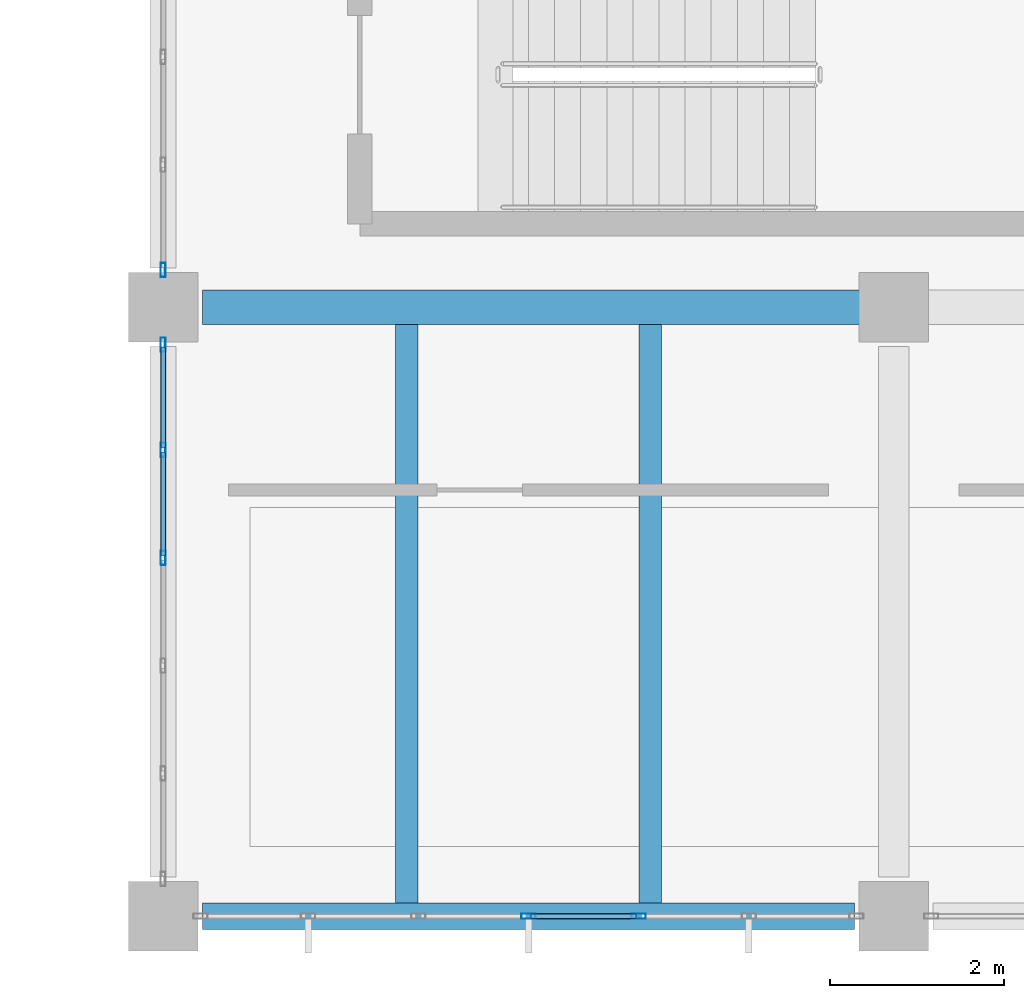
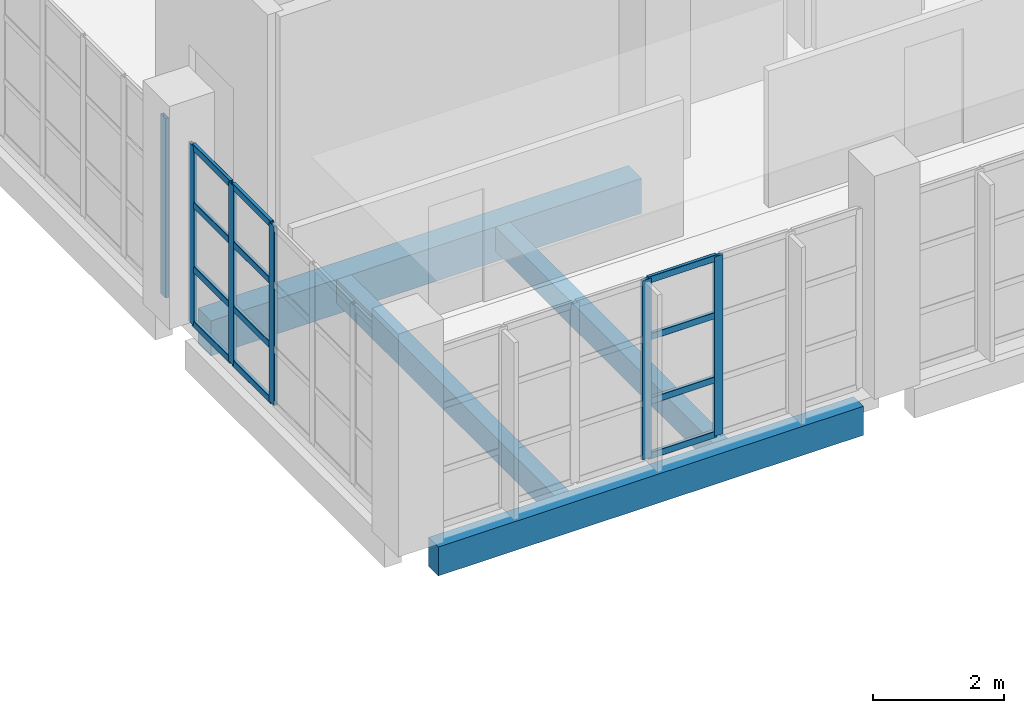
# One storey, part 14 of 177: 18 members, 4 beams, 3 elements without a shape of their own.
"""IFC4 building model written with IfcOpenShell, lengths in metres."""

import ifcopenshell
import ifcopenshell.guid

model = None  # the IFC model being written
_history = None  # IfcOwnerHistory: only IFC2X3 demands one
_inside = {}  # id of a spatial element -> (the spatial element, [elements in it])
_under = {}  # id of a project, library or spatial element -> (it, [spatial elements below it])
_declared = {}  # id of a project -> (the project, [libraries it declares])
_typed = {}  # id of a type object -> (the type object, [elements of that type])
_made_of = {}  # id of a material, layer set ... -> (it, [elements and type objects made of it])


def new_model(schema):
    """Start an empty IFC model of exactly this schema.

    Asked for "IFC4X3", IfcOpenShell would pick the latest addendum, in which some entities
    have other attributes; the version numbers below select the first issue.
    IFC2X3 requires an IfcOwnerHistory on every rooted entity: one is made here for all.
    """
    global model, _history
    if schema == "IFC4X3":
        model = ifcopenshell.file(schema_version=(4, 3, 0, 0))
    else:
        model = ifcopenshell.file(schema=schema)
    _inside.clear()
    _under.clear()
    _declared.clear()
    _typed.clear()
    _made_of.clear()
    _history = None
    if model.schema == "IFC2X3":
        org = make("IfcOrganization", Name="unknown")
        user = make(
            "IfcPersonAndOrganization",
            ThePerson=make("IfcPerson", FamilyName="unknown"),
            TheOrganization=org,
        )
        app = make(
            "IfcApplication",
            ApplicationDeveloper=org,
            Version="unknown",
            ApplicationFullName="unknown",
            ApplicationIdentifier="unknown",
        )
        _history = make(
            "IfcOwnerHistory",
            OwningUser=user,
            OwningApplication=app,
            ChangeAction="ADDED",
            CreationDate=0,
        )
    return model


def make(cls, **values):
    """One entity of the class cls with the attributes given. An attribute that is None is left unset."""
    return model.create_entity(
        cls, **{name: value for name, value in values.items() if value is not None}
    )


def rooted(cls, **values):
    """An entity with a GlobalId (a new one), such as an element, a storey or a relation."""
    return make(cls, GlobalId=ifcopenshell.guid.new(), OwnerHistory=_history, **values)


def si_unit(unit_type, name, prefix=None):
    """IfcSIUnit, for example si_unit("LENGTHUNIT", "METRE", prefix="MILLI")."""
    return make("IfcSIUnit", UnitType=unit_type, Prefix=prefix, Name=name)


def assignment(units):
    """IfcUnitAssignment: the units of a project."""
    return None if units is None else make("IfcUnitAssignment", Units=units)


def point(xyz):
    """IfcCartesianPoint."""
    return None if xyz is None else make("IfcCartesianPoint", Coordinates=xyz)


def direction(xyz):
    """IfcDirection."""
    return None if xyz is None else make("IfcDirection", DirectionRatios=xyz)


def frame(location, z_axis=None, x_axis=None):
    """IfcAxis2Placement3D, a coordinate frame: its origin and axes. An axis left out is left unset."""
    return make(
        "IfcAxis2Placement3D",
        Location=point(location),
        Axis=direction(z_axis),
        RefDirection=direction(x_axis),
    )


def frame_2d(location, x_axis=None):
    """IfcAxis2Placement2D, a coordinate frame in the plane: its origin and x axis."""
    return make(
        "IfcAxis2Placement2D", Location=point(location), RefDirection=direction(x_axis)
    )


def origin():
    """The frame at (0, 0, 0) with its axes left unset."""
    return frame((0.0, 0.0, 0.0))


def origin_2d():
    """The frame at (0, 0) in the plane with its x axis left unset."""
    return frame_2d((0.0, 0.0))


def place(relative_to, where):
    """IfcLocalPlacement: puts the frame where relative to a parent placement (None: the world)."""
    return make(
        "IfcLocalPlacement", PlacementRelTo=relative_to, RelativePlacement=where
    )


def context(
    kind, dimensions, precision=None, world=None, true_north=None, identifier=None
):
    """IfcGeometricRepresentationContext, for example the 3D "Model" context."""
    return make(
        "IfcGeometricRepresentationContext",
        ContextIdentifier=identifier,
        ContextType=kind,
        CoordinateSpaceDimension=dimensions,
        Precision=precision,
        WorldCoordinateSystem=world,
        TrueNorth=true_north,
    )


def subcontext(parent, identifier, kind, view, scale=None):
    """IfcGeometricRepresentationSubContext, for example "Body" below "Model"."""
    return make(
        "IfcGeometricRepresentationSubContext",
        ContextIdentifier=identifier,
        ContextType=kind,
        ParentContext=parent,
        TargetScale=scale,
        TargetView=view,
    )


def project(units=None, contexts=None):
    """IfcProject with its units and contexts."""
    return rooted(
        "IfcProject",
        Name="project",
        RepresentationContexts=contexts,
        UnitsInContext=assignment(units),
    )


def spatial(cls, under=None, at=None, **own):
    """A site, building, storey or space (cls), placed at a placement, below another one or the project."""
    s = rooted(cls, ObjectPlacement=at, **own)
    if under is not None:
        _under.setdefault(under.id(), (under, []))[1].append(s)
    return s


def profile(cls, at=None, kind="AREA", **sizes):
    """A parametric profile (cls). Its sizes go by their IFC names, for example OverallWidth=200.0."""
    return make(cls, ProfileType=kind, Position=at, **sizes)


def rectangle(**sizes):
    """IfcRectangleProfileDef."""
    return profile("IfcRectangleProfileDef", **sizes)


def hollow_rectangle(**sizes):
    """IfcRectangleHollowProfileDef."""
    return profile("IfcRectangleHollowProfileDef", **sizes)


def extrude(swept, where, along, depth):
    """IfcExtrudedAreaSolid: the profile swept, set in the frame where, extruded along a direction by depth."""
    return make(
        "IfcExtrudedAreaSolid",
        SweptArea=swept,
        Position=where,
        ExtrudedDirection=direction(along),
        Depth=depth,
    )


def shape(context_of_items, identifier, shape_type, items):
    """IfcShapeRepresentation: the items that make up one representation, for example the "Body"."""
    return make(
        "IfcShapeRepresentation",
        ContextOfItems=context_of_items,
        RepresentationIdentifier=identifier,
        RepresentationType=shape_type,
        Items=items,
    )


def material(Name=None, Category=None):
    """IfcMaterial."""
    return make("IfcMaterial", Name=Name, Category=Category)


def layer(
    of_material, thickness, ventilated=None, Name=None, Category=None, Priority=None
):
    """IfcMaterialLayer: one layer of a wall or slab, of a material (None: an air gap)."""
    return make(
        "IfcMaterialLayer",
        Material=of_material,
        LayerThickness=thickness,
        IsVentilated=ventilated,
        Name=Name,
        Category=Category,
        Priority=Priority,
    )


def layer_set(layers, Name=None):
    """IfcMaterialLayerSet."""
    return make("IfcMaterialLayerSet", MaterialLayers=layers, LayerSetName=Name)


def material_profile(
    of_material, cross_section, Name=None, Category=None, Priority=None
):
    """IfcMaterialProfile: a cross section and its material."""
    return make(
        "IfcMaterialProfile",
        Name=Name,
        Material=of_material,
        Profile=cross_section,
        Priority=Priority,
        Category=Category,
    )


def profile_set(profiles, Name=None, composite=None):
    """IfcMaterialProfileSet."""
    return make(
        "IfcMaterialProfileSet",
        Name=Name,
        MaterialProfiles=profiles,
        CompositeProfile=composite,
    )


def made_of(thing, what):
    """Note that an element or type object is made of a material, layer set ...; save() writes the relation."""
    if what is not None:
        _made_of.setdefault(what.id(), (what, []))[1].append(thing)
    return thing


def type_object(cls, material=None, **own):
    """A type object (cls), such as IfcWallType, which elements share."""
    return made_of(rooted(cls, **own), material)


def element(
    cls,
    number,
    at=None,
    inside=None,
    cuts=None,
    type_object=None,
    material=None,
    context=None,
    identifier="Body",
    shape_type=None,
    held_by="IfcProductDefinitionShape",
    body=None,
    shapes=None,
    **own,
):
    """One element of the class cls, such as IfcWall. Its Tag is "e" and its number.

    at: its placement. inside: the storey or other place that contains it. cuts: it is an
    opening in that element (IfcRelVoidsElement). A single representation is given by context,
    identifier, shape_type and body (its items); several are given by shapes. held_by: the class
    of the entity that holds the representations. save() writes the other relations.
    """
    e = rooted(cls, Tag="e%d" % number, ObjectPlacement=at, **own)
    if body is not None:
        shapes = [shape(context, identifier, shape_type, body)]
    if shapes is not None:
        e.Representation = make(held_by, Representations=shapes)
    if inside is not None:
        _inside.setdefault(inside.id(), (inside, []))[1].append(e)
    if cuts is not None:
        rooted(
            "IfcRelVoidsElement", RelatingBuildingElement=cuts, RelatedOpeningElement=e
        )
    if type_object is not None:
        _typed.setdefault(type_object.id(), (type_object, []))[1].append(e)
    return made_of(e, material)


def aggregate(whole, parts):
    """IfcRelAggregates: a whole, such as a stair, and the parts it consists of."""
    return rooted("IfcRelAggregates", RelatingObject=whole, RelatedObjects=parts)


def save(model, path):
    """Write the relations noted so far, then the file.

    IfcRelAggregates (storeys below a building ...), IfcRelContainedInSpatialStructure (elements
    in a storey), IfcRelDefinesByType, IfcRelAssociatesMaterial and IfcRelDeclares: one each for
    every whole, place, type object, material and project.
    """
    for whole, parts in _under.values():
        aggregate(whole, parts)
    for where, things in _inside.values():
        rooted(
            "IfcRelContainedInSpatialStructure",
            RelatedElements=things,
            RelatingStructure=where,
        )
    for kind, things in _typed.values():
        rooted("IfcRelDefinesByType", RelatedObjects=things, RelatingType=kind)
    for what, things in _made_of.values():
        rooted("IfcRelAssociatesMaterial", RelatedObjects=things, RelatingMaterial=what)
    for by, libraries in _declared.values():
        rooted("IfcRelDeclares", RelatingContext=by, RelatedDefinitions=libraries)
    model.write(path)


model = new_model("IFC4")

# Units and contexts
model_context = context("Model", 3, precision=1e-05, world=origin(), true_north=direction((0.0, 1.0)))
body_context = subcontext(model_context, "Body", "Model", "MODEL_VIEW")
ifc_project = project(units=[si_unit("LENGTHUNIT", "METRE"), si_unit("AREAUNIT", "SQUARE_METRE"), si_unit("VOLUMEUNIT", "CUBIC_METRE"), si_unit("PLANEANGLEUNIT", "RADIAN"), si_unit("MASSUNIT", "GRAM", prefix="KILO"), si_unit("THERMODYNAMICTEMPERATUREUNIT", "KELVIN"), si_unit("POWERUNIT", "WATT")], contexts=[model_context])

# Site, building, storey
site_placement = place(None, origin())
site = spatial("IfcSite", under=ifc_project, at=site_placement, CompositionType="ELEMENT")
building_placement = place(site_placement, origin())
building = spatial("IfcBuilding", under=site, at=building_placement, Name="Mavoryth Pier Ferry Terminal", CompositionType="ELEMENT")
storey_placement = place(building_placement, frame((0.0, 0.0, 5.43994140625)))
storey = spatial("IfcBuildingStorey", under=building, at=storey_placement, Name="L01", CompositionType="ELEMENT", Elevation=5.43994140625)

# Beams
ifc_material_1 = material(Name="Concrete C35/45", Category="concrete")
ifc_material_profile_1 = material_profile(ifc_material_1, rectangle(XDim=0.39990234375, YDim=0.64990234375, at=origin_2d()), Name="RC 400x650", Category="concrete")
ifc_profile_set_1 = profile_set([ifc_material_profile_1], Name="Concrete C35/45 - RC 400x650")
beam_type_1 = type_object("IfcBeamType", Name="Girder-RC-400x650", PredefinedType="BEAM", material=ifc_profile_set_1)
beam_1_placement = place(storey_placement, frame((42.449951171875, 7.0, -0.5849609375), z_axis=(1.0, 0.0, 0.0), x_axis=(0.0, 1.0, 0.0)))
element("IfcBeam", 1, at=beam_1_placement, inside=storey, type_object=beam_type_1, Name="Beam B01-BG05-0516", PredefinedType="BEAM", context=body_context, shape_type="SweptSolid", body=[
    extrude(rectangle(XDim=0.39990234375, YDim=0.64990234375, at=origin_2d()), origin(), (0.0, 0.0, 1.0), 7.60009765625),
])
ifc_material_profile_2 = material_profile(ifc_material_1, rectangle(XDim=0.260009765625, YDim=0.449951171875, at=origin_2d()), Name="RC 260x450", Category="concrete")
ifc_profile_set_2 = profile_set([ifc_material_profile_2], Name="Concrete C35/45 - RC 260x450")
beam_type_2 = type_object("IfcBeamType", Name="Joist-RC-260x450", PredefinedType="JOIST", material=ifc_profile_set_2)
for number, where, z_axis, x_axis, name in (
    (2, (44.800048828125, 0.14990234375, -0.48486328125), (0.0, 1.0, 0.0), (-1.0, 0.0, 0.0), "Beam B01-BJ03-0555"),
    (3, (47.60009765625, 0.14990234375, -0.48486328125), (0.0, 1.0, 0.0), (-1.0, 0.0, 0.0), "Beam B01-BJ03-0556"),
):
    element("IfcBeam", number, at=place(storey_placement, frame(where, z_axis=z_axis, x_axis=x_axis)), inside=storey, type_object=beam_type_2, Name=name, PredefinedType="JOIST", context=body_context, shape_type="SweptSolid", body=[
        extrude(rectangle(XDim=0.260009765625, YDim=0.449951171875, at=origin_2d()), origin(), (0.0, 0.0, 1.0), 6.650146484375),
    ])

# Curtain wall, members
ifc_material_2 = material(Name="Anodised Aluminium and Solar-Control Low-E Glass", Category="aluminium")
ifc_layer = layer(ifc_material_2, 0.239990234375, Name="Anodised Aluminium and Solar-Control Low-E Glass", Category="aluminium")
ifc_layer_set = layer_set([ifc_layer], Name="Anodised Aluminium and Solar-Control Low-E Glass - CW-Operations-Mod1200")
curtain_wall_type = type_object("IfcCurtainWallType", Name="CW-Operations-Mod1200", PredefinedType="USERDEFINED", material=ifc_layer_set)
curtain_wall_1_placement = place(storey_placement, origin())
curtain_wall_1 = element("IfcCurtainWall", 4, at=curtain_wall_1_placement, inside=storey, type_object=curtain_wall_type, Name="Curtain Wall CW-0122-110", ObjectType="UNITISED CURTAIN WALL", PredefinedType="USERDEFINED")
ifc_material_3 = material(Name="Anodised Aluminium EN AW-6063", Category="aluminium")
ifc_material_profile_3 = material_profile(ifc_material_3, hollow_rectangle(XDim=0.06005859375, YDim=0.1650390625, WallThickness=0.00390625, InnerFilletRadius=0.00390625, OuterFilletRadius=0.008056640625, at=origin_2d()), Name="AL-MULL 165x60x4", Category="aluminium")
ifc_profile_set_3 = profile_set([ifc_material_profile_3], Name="Anodised Aluminium EN AW-6063 - AL-MULL 165x60x4")
member_type_1 = type_object("IfcMemberType", Name="Mullion-Alum-165x60", PredefinedType="MULLION", material=ifc_profile_set_3)
member_1_placement = place(storey_placement, frame((46.199951171875, 0.0, 0.0), z_axis=(0.0, 0.0, 1.0), x_axis=(0.0, 1.0, 0.0)))
member_1 = element("IfcMember", 5, at=member_1_placement, type_object=member_type_1, Name="CW06 mullion 4", PredefinedType="MULLION", context=body_context, shape_type="SweptSolid", body=[
    extrude(hollow_rectangle(XDim=0.06005859375, YDim=0.1650390625, WallThickness=0.00390625, InnerFilletRadius=0.00390625, OuterFilletRadius=0.008056640625, at=origin_2d()), origin(), (0.0, 0.0, 1.0), 3.344970703125),
])
member_2_placement = place(storey_placement, frame((47.466552734375, 0.0, 0.0), z_axis=(0.0, 0.0, 1.0), x_axis=(0.0, 1.0, 0.0)))
member_2 = element("IfcMember", 6, at=member_2_placement, type_object=member_type_1, Name="CW06 mullion 5", PredefinedType="MULLION", context=body_context, shape_type="SweptSolid", body=[
    extrude(hollow_rectangle(XDim=0.06005859375, YDim=0.1650390625, WallThickness=0.00390625, InnerFilletRadius=0.00390625, OuterFilletRadius=0.008056640625, at=origin_2d()), origin(), (0.0, 0.0, 1.0), 3.344970703125),
])

curtain_wall_2_placement = place(storey_placement, origin())
curtain_wall_2 = element("IfcCurtainWall", 7, at=curtain_wall_2_placement, inside=storey, type_object=curtain_wall_type, Name="Curtain Wall CW-0122-120", ObjectType="UNITISED CURTAIN WALL", PredefinedType="USERDEFINED")
member_3_placement = place(storey_placement, frame((42.0, 6.570068359375, 0.0), z_axis=(0.0, 0.0, 1.0), x_axis=(1.0, 0.0, 0.0)))
member_3 = element("IfcMember", 8, at=member_3_placement, type_object=member_type_1, Name="CW06 mullion 1", PredefinedType="MULLION", context=body_context, shape_type="SweptSolid", body=[
    extrude(hollow_rectangle(XDim=0.06005859375, YDim=0.1650390625, WallThickness=0.00390625, InnerFilletRadius=0.00390625, OuterFilletRadius=0.008056640625, at=origin_2d()), origin(), (0.0, 0.0, 1.0), 3.344970703125),
])
member_4_placement = place(storey_placement, frame((42.0, 5.360107421875, 0.0), z_axis=(0.0, 0.0, 1.0), x_axis=(1.0, 0.0, 0.0)))
member_4 = element("IfcMember", 9, at=member_4_placement, type_object=member_type_1, Name="CW06 mullion 2", PredefinedType="MULLION", context=body_context, shape_type="SweptSolid", body=[
    extrude(hollow_rectangle(XDim=0.06005859375, YDim=0.1650390625, WallThickness=0.00390625, InnerFilletRadius=0.00390625, OuterFilletRadius=0.008056640625, at=origin_2d()), origin(), (0.0, 0.0, 1.0), 3.344970703125),
])
member_5_placement = place(storey_placement, frame((42.0, 4.1201171875, 0.0), z_axis=(0.0, 0.0, 1.0), x_axis=(1.0, 0.0, 0.0)))
member_5 = element("IfcMember", 10, at=member_5_placement, type_object=member_type_1, Name="CW06 mullion 3", PredefinedType="MULLION", context=body_context, shape_type="SweptSolid", body=[
    extrude(hollow_rectangle(XDim=0.06005859375, YDim=0.1650390625, WallThickness=0.00390625, InnerFilletRadius=0.00390625, OuterFilletRadius=0.008056640625, at=origin_2d()), origin(), (0.0, 0.0, 1.0), 3.344970703125),
])

# Curtain wall, member
curtain_wall_3_placement = place(storey_placement, origin())
curtain_wall_3 = element("IfcCurtainWall", 11, at=curtain_wall_3_placement, inside=storey, type_object=curtain_wall_type, Name="Curtain Wall CW-0122-121", ObjectType="UNITISED CURTAIN WALL", PredefinedType="USERDEFINED")
member_6_placement = place(storey_placement, frame((42.0, 7.429931640625, 0.0), z_axis=(0.0, 0.0, 1.0), x_axis=(1.0, 0.0, 0.0)))
member_6 = element("IfcMember", 12, at=member_6_placement, type_object=member_type_1, Name="CW06 mullion 6", PredefinedType="MULLION", context=body_context, shape_type="SweptSolid", body=[
    extrude(hollow_rectangle(XDim=0.06005859375, YDim=0.1650390625, WallThickness=0.00390625, InnerFilletRadius=0.00390625, OuterFilletRadius=0.008056640625, at=origin_2d()), origin(), (0.0, 0.0, 1.0), 3.344970703125),
])
aggregate(curtain_wall_3, [member_6])

# Beam
ifc_material_profile_4 = material_profile(ifc_material_1, rectangle(XDim=0.300048828125, YDim=0.5400390625, at=origin_2d()), Name="RC 300x540", Category="concrete")
ifc_profile_set_4 = profile_set([ifc_material_profile_4], Name="Concrete C35/45 - RC 300x540")
beam_type_3 = type_object("IfcBeamType", Name="Spandrel-RC-300x540", PredefinedType="SPANDREL", material=ifc_profile_set_4)
beam_2_placement = place(storey_placement, frame((42.449951171875, 0.0, -0.530029296875), z_axis=(1.0, 0.0, 0.0), x_axis=(0.0, 1.0, 0.0)))
element("IfcBeam", 13, at=beam_2_placement, inside=storey, type_object=beam_type_3, Name="Beam B01-SP02-0510", PredefinedType="SPANDREL", context=body_context, shape_type="SweptSolid", body=[
    extrude(rectangle(XDim=0.300048828125, YDim=0.5400390625, at=origin_2d()), origin(), (0.0, 0.0, 1.0), 7.5),
])

# Member
ifc_material_profile_5 = material_profile(ifc_material_3, hollow_rectangle(XDim=0.06005859375, YDim=0.125, WallThickness=0.00390625, InnerFilletRadius=0.00390625, OuterFilletRadius=0.008056640625, at=origin_2d()), Name="AL-TRAN 125x60x4", Category="aluminium")
ifc_profile_set_5 = profile_set([ifc_material_profile_5], Name="Anodised Aluminium EN AW-6063 - AL-TRAN 125x60x4")
member_type_2 = type_object("IfcMemberType", Name="Transom-Alum-125x60", PredefinedType="USERDEFINED", material=ifc_profile_set_5)
member_7_placement = place(storey_placement, frame((46.22998046875, 0.0, 0.030029296875), z_axis=(1.0, 0.0, 0.0), x_axis=(0.0, 1.0, 0.0)))
member_7 = element("IfcMember", 14, at=member_7_placement, type_object=member_type_2, Name="CW06 transom 4.1", ObjectType="TRANSOM", PredefinedType="USERDEFINED", context=body_context, shape_type="SweptSolid", body=[
    extrude(hollow_rectangle(XDim=0.06005859375, YDim=0.125, WallThickness=0.00390625, InnerFilletRadius=0.00390625, OuterFilletRadius=0.008056640625, at=origin_2d()), origin(), (0.0, 0.0, 1.0), 1.206787109375),
])

member_8_placement = place(storey_placement, frame((46.22998046875, 0.0, 1.050048828125), z_axis=(1.0, 0.0, 0.0), x_axis=(0.0, 1.0, 0.0)))
member_8 = element("IfcMember", 15, at=member_8_placement, type_object=member_type_2, Name="CW06 transom 4.2", ObjectType="TRANSOM", PredefinedType="USERDEFINED", context=body_context, shape_type="SweptSolid", body=[
    extrude(hollow_rectangle(XDim=0.06005859375, YDim=0.125, WallThickness=0.00390625, InnerFilletRadius=0.00390625, OuterFilletRadius=0.008056640625, at=origin_2d()), origin(), (0.0, 0.0, 1.0), 1.206787109375),
])

member_9_placement = place(storey_placement, frame((46.22998046875, 0.0, 2.25), z_axis=(1.0, 0.0, 0.0), x_axis=(0.0, 1.0, 0.0)))
member_9 = element("IfcMember", 16, at=member_9_placement, type_object=member_type_2, Name="CW06 transom 4.3", ObjectType="TRANSOM", PredefinedType="USERDEFINED", context=body_context, shape_type="SweptSolid", body=[
    extrude(hollow_rectangle(XDim=0.06005859375, YDim=0.125, WallThickness=0.00390625, InnerFilletRadius=0.00390625, OuterFilletRadius=0.008056640625, at=origin_2d()), origin(), (0.0, 0.0, 1.0), 1.206787109375),
])

member_10_placement = place(storey_placement, frame((46.22998046875, 0.0, 3.31494140625), z_axis=(1.0, 0.0, 0.0), x_axis=(0.0, 1.0, 0.0)))
member_10 = element("IfcMember", 17, at=member_10_placement, type_object=member_type_2, Name="CW06 transom 4.4", ObjectType="TRANSOM", PredefinedType="USERDEFINED", context=body_context, shape_type="SweptSolid", body=[
    extrude(hollow_rectangle(XDim=0.06005859375, YDim=0.125, WallThickness=0.00390625, InnerFilletRadius=0.00390625, OuterFilletRadius=0.008056640625, at=origin_2d()), origin(), (0.0, 0.0, 1.0), 1.206787109375),
])

aggregate(curtain_wall_1, [member_1, member_2, member_7, member_8, member_9, member_10])

member_11_placement = place(storey_placement, frame((42.0, 6.5400390625, 0.030029296875), z_axis=(0.0, -1.0, 0.0), x_axis=(1.0, 0.0, 0.0)))
member_11 = element("IfcMember", 18, at=member_11_placement, type_object=member_type_2, Name="CW06 transom 1.1", ObjectType="TRANSOM", PredefinedType="USERDEFINED", context=body_context, shape_type="SweptSolid", body=[
    extrude(hollow_rectangle(XDim=0.06005859375, YDim=0.125, WallThickness=0.00390625, InnerFilletRadius=0.00390625, OuterFilletRadius=0.008056640625, at=origin_2d()), origin(), (0.0, 0.0, 1.0), 1.150146484375),
])

member_12_placement = place(storey_placement, frame((42.0, 6.5400390625, 1.050048828125), z_axis=(0.0, -1.0, 0.0), x_axis=(1.0, 0.0, 0.0)))
member_12 = element("IfcMember", 19, at=member_12_placement, type_object=member_type_2, Name="CW06 transom 1.2", ObjectType="TRANSOM", PredefinedType="USERDEFINED", context=body_context, shape_type="SweptSolid", body=[
    extrude(hollow_rectangle(XDim=0.06005859375, YDim=0.125, WallThickness=0.00390625, InnerFilletRadius=0.00390625, OuterFilletRadius=0.008056640625, at=origin_2d()), origin(), (0.0, 0.0, 1.0), 1.150146484375),
])

member_13_placement = place(storey_placement, frame((42.0, 6.5400390625, 2.25), z_axis=(0.0, -1.0, 0.0), x_axis=(1.0, 0.0, 0.0)))
member_13 = element("IfcMember", 20, at=member_13_placement, type_object=member_type_2, Name="CW06 transom 1.3", ObjectType="TRANSOM", PredefinedType="USERDEFINED", context=body_context, shape_type="SweptSolid", body=[
    extrude(hollow_rectangle(XDim=0.06005859375, YDim=0.125, WallThickness=0.00390625, InnerFilletRadius=0.00390625, OuterFilletRadius=0.008056640625, at=origin_2d()), origin(), (0.0, 0.0, 1.0), 1.150146484375),
])

member_14_placement = place(storey_placement, frame((42.0, 6.5400390625, 3.31494140625), z_axis=(0.0, -1.0, 0.0), x_axis=(1.0, 0.0, 0.0)))
member_14 = element("IfcMember", 21, at=member_14_placement, type_object=member_type_2, Name="CW06 transom 1.4", ObjectType="TRANSOM", PredefinedType="USERDEFINED", context=body_context, shape_type="SweptSolid", body=[
    extrude(hollow_rectangle(XDim=0.06005859375, YDim=0.125, WallThickness=0.00390625, InnerFilletRadius=0.00390625, OuterFilletRadius=0.008056640625, at=origin_2d()), origin(), (0.0, 0.0, 1.0), 1.150146484375),
])

member_15_placement = place(storey_placement, frame((42.0, 5.330078125, 0.030029296875), z_axis=(0.0, -1.0, 0.0), x_axis=(1.0, 0.0, 0.0)))
member_15 = element("IfcMember", 22, at=member_15_placement, type_object=member_type_2, Name="CW06 transom 2.1", ObjectType="TRANSOM", PredefinedType="USERDEFINED", context=body_context, shape_type="SweptSolid", body=[
    extrude(hollow_rectangle(XDim=0.06005859375, YDim=0.125, WallThickness=0.00390625, InnerFilletRadius=0.00390625, OuterFilletRadius=0.008056640625, at=origin_2d()), origin(), (0.0, 0.0, 1.0), 1.18017578125),
])

member_16_placement = place(storey_placement, frame((42.0, 5.330078125, 1.050048828125), z_axis=(0.0, -1.0, 0.0), x_axis=(1.0, 0.0, 0.0)))
member_16 = element("IfcMember", 23, at=member_16_placement, type_object=member_type_2, Name="CW06 transom 2.2", ObjectType="TRANSOM", PredefinedType="USERDEFINED", context=body_context, shape_type="SweptSolid", body=[
    extrude(hollow_rectangle(XDim=0.06005859375, YDim=0.125, WallThickness=0.00390625, InnerFilletRadius=0.00390625, OuterFilletRadius=0.008056640625, at=origin_2d()), origin(), (0.0, 0.0, 1.0), 1.18017578125),
])

member_17_placement = place(storey_placement, frame((42.0, 5.330078125, 2.25), z_axis=(0.0, -1.0, 0.0), x_axis=(1.0, 0.0, 0.0)))
member_17 = element("IfcMember", 24, at=member_17_placement, type_object=member_type_2, Name="CW06 transom 2.3", ObjectType="TRANSOM", PredefinedType="USERDEFINED", context=body_context, shape_type="SweptSolid", body=[
    extrude(hollow_rectangle(XDim=0.06005859375, YDim=0.125, WallThickness=0.00390625, InnerFilletRadius=0.00390625, OuterFilletRadius=0.008056640625, at=origin_2d()), origin(), (0.0, 0.0, 1.0), 1.18017578125),
])

member_18_placement = place(storey_placement, frame((42.0, 5.330078125, 3.31494140625), z_axis=(0.0, -1.0, 0.0), x_axis=(1.0, 0.0, 0.0)))
member_18 = element("IfcMember", 25, at=member_18_placement, type_object=member_type_2, Name="CW06 transom 2.4", ObjectType="TRANSOM", PredefinedType="USERDEFINED", context=body_context, shape_type="SweptSolid", body=[
    extrude(hollow_rectangle(XDim=0.06005859375, YDim=0.125, WallThickness=0.00390625, InnerFilletRadius=0.00390625, OuterFilletRadius=0.008056640625, at=origin_2d()), origin(), (0.0, 0.0, 1.0), 1.18017578125),
])

aggregate(curtain_wall_2, [member_3, member_4, member_5, member_11, member_12, member_13, member_14, member_15, member_16, member_17, member_18])

save(model, "model.ifc")
